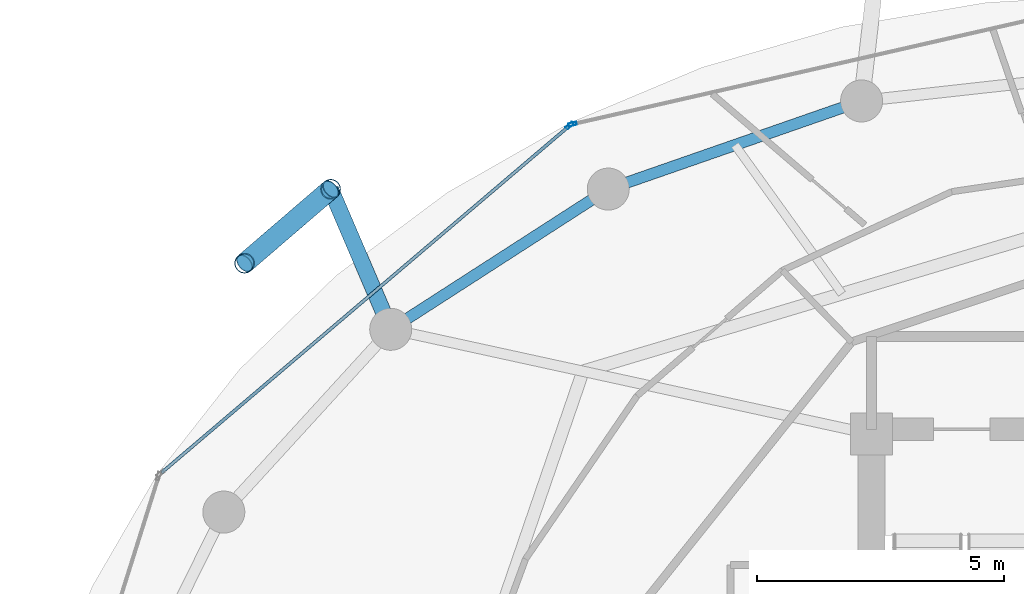
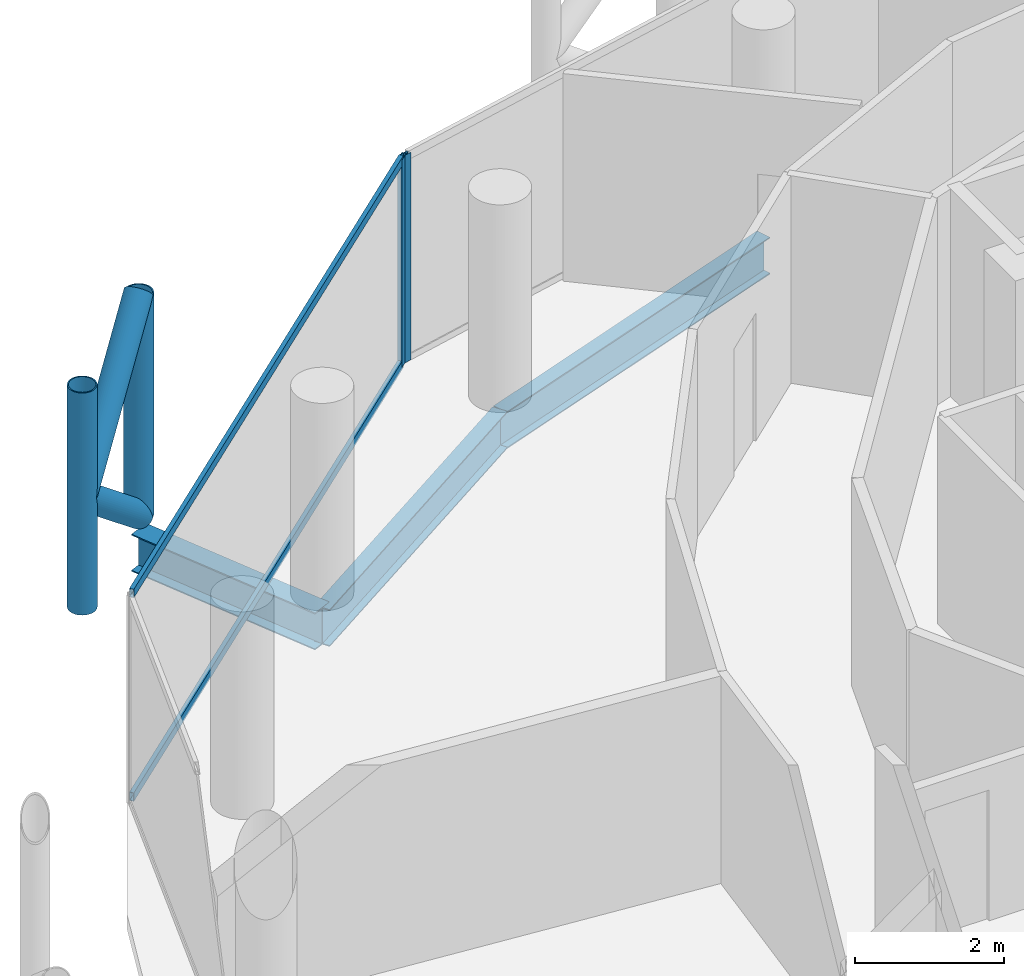
# One storey, part 18 of 27: 8 members, 3 beams, 2 elements without a shape of their own.
"""IFC4 building model written with IfcOpenShell, lengths in metres."""

from ifc_helpers import new_model, si_unit, direction, frame, origin, origin_2d, place, context, subcontext, project, spatial, hollow_rectangle, hollow_circle, i_section, extrude, material, layer, layer_set, material_profile, profile_set, type_object, element, aggregate, save


model = new_model("IFC4")

# Units and contexts
model_context = context("Model", 3, precision=1e-05, world=origin(), true_north=direction((0.0, 1.0)))
body_context = subcontext(model_context, "Body", "Model", "MODEL_VIEW")
ifc_project = project(units=[si_unit("LENGTHUNIT", "METRE"), si_unit("AREAUNIT", "SQUARE_METRE"), si_unit("VOLUMEUNIT", "CUBIC_METRE"), si_unit("PLANEANGLEUNIT", "RADIAN"), si_unit("MASSUNIT", "GRAM", prefix="KILO")], contexts=[model_context])

# Site, building, storey
site_placement = place(None, origin())
site = spatial("IfcSite", under=ifc_project, at=site_placement, CompositionType="ELEMENT")
building_placement = place(site_placement, origin())
building = spatial("IfcBuilding", under=site, at=building_placement, Name="Nuhasar Tower", CompositionType="ELEMENT")
storey_placement = place(building_placement, frame((0.0, 0.0, 248.300048828125)))
storey = spatial("IfcBuildingStorey", under=building, at=storey_placement, Name="L61", CompositionType="ELEMENT", Elevation=248.300048828125)

# Beams
ifc_material_1 = material(Name="Steel S355", Category="steel")
ifc_material_profile_1 = material_profile(ifc_material_1, i_section(OverallWidth=0.22802734375, OverallDepth=0.60791015625, WebThickness=0.01123046875, FlangeThickness=0.017333984375, at=origin_2d()), Name="W24X76")
ifc_profile_set_1 = profile_set([ifc_material_profile_1], Name="Steel S355")
beam_type_1 = type_object("IfcBeamType", Name="BM-RING-W24X76", PredefinedType="SPANDREL", material=ifc_profile_set_1)
beam_1_placement = place(storey_placement, frame((33.5, 44.0419921875, -0.5439453125), z_axis=(-0.944476764686, -0.328578211342, 0.0), x_axis=(0.328578211342, -0.944476764686, 0.0)))
element("IfcBeam", 1, at=beam_1_placement, inside=storey, type_object=beam_type_1, Name="L61 Perimeter Ring Spandrel 08", PredefinedType="SPANDREL", context=body_context, shape_type="SweptSolid", body=[
    extrude(i_section(OverallWidth=0.22802734375, OverallDepth=0.60791015625, WebThickness=0.01123046875, FlangeThickness=0.017333984375, at=origin_2d()), origin(), (0.0, 0.0, 1.0), 5.42626953125),
])
beam_2_placement = place(storey_placement, frame((28.375, 42.259033203125, -0.5439453125), z_axis=(-0.840502144969, -0.541808217272, 0.0), x_axis=(0.541808217272, -0.840502144969, 0.0)))
element("IfcBeam", 2, at=beam_2_placement, inside=storey, type_object=beam_type_1, Name="L61 Perimeter Ring Spandrel 09", PredefinedType="SPANDREL", context=body_context, shape_type="SweptSolid", body=[
    extrude(i_section(OverallWidth=0.22802734375, OverallDepth=0.60791015625, WebThickness=0.01123046875, FlangeThickness=0.017333984375, at=origin_2d()), origin(), (0.0, 0.0, 1.0), 5.236083984375),
])
ifc_material_profile_2 = material_profile(ifc_material_1, i_section(OverallWidth=0.323974609375, OverallDepth=0.611083984375, WebThickness=0.0126953125, FlangeThickness=0.01904296875, at=origin_2d()), Name="W24X104")
ifc_profile_set_2 = profile_set([ifc_material_profile_2], Name="Steel S355")
beam_type_2 = type_object("IfcBeamType", Name="BM-TIE-W24X104", PredefinedType="BEAM", material=ifc_profile_set_2)
beam_3_placement = place(storey_placement, frame((23.97412109375, 39.422119140625, -0.545166015625), z_axis=(-0.393680429682, 0.919247365667, 0.0), x_axis=(-0.919247365667, -0.393680429682, 0.0)))
element("IfcBeam", 3, at=beam_3_placement, inside=storey, type_object=beam_type_2, Name="L61 Exoskeleton Node Tie Beam 05", PredefinedType="BEAM", context=body_context, shape_type="SweptSolid", body=[
    extrude(i_section(OverallWidth=0.323974609375, OverallDepth=0.611083984375, WebThickness=0.0126953125, FlangeThickness=0.01904296875, at=origin_2d()), origin(), (0.0, 0.0, 1.0), 3.083984375),
])

# Curtain wall, member
ifc_material_2 = material(Name="Aluminium 6063-T6", Category="aluminium")
ifc_layer = layer(ifc_material_2, 0.18994140625)
ifc_layer_set = layer_set([ifc_layer], Name="Aluminium 6063-T6")
curtain_wall_type = type_object("IfcCurtainWallType", Name="CW-Z3-RES", PredefinedType="NOTDEFINED", material=ifc_layer_set)
curtain_wall_1_placement = place(storey_placement, origin())
curtain_wall_1 = element("IfcCurtainWall", 4, at=curtain_wall_1_placement, inside=storey, type_object=curtain_wall_type, Name="L61 Unitised Curtain Wall 04", PredefinedType="NOTDEFINED")
ifc_material_profile_3 = material_profile(ifc_material_2, hollow_rectangle(XDim=0.06494140625, YDim=0.169921875, WallThickness=0.0048828125, at=origin_2d()), Name="CWM-4")
ifc_profile_set_3 = profile_set([ifc_material_profile_3], Name="Aluminium 6063-T6")
member_type_1 = type_object("IfcMemberType", Name="CW-MUL-S4", PredefinedType="MULLION", material=ifc_profile_set_3)
member_1_placement = place(storey_placement, frame((27.651611328125, 43.5732421875, 0.0), z_axis=(0.0, 0.0, 1.0), x_axis=(0.222243176313, -0.974991266926, 0.0)))
member_1 = element("IfcMember", 5, at=member_1_placement, type_object=member_type_1, Name="CW-Z3 mullion 2", PredefinedType="MULLION", context=body_context, shape_type="SweptSolid", body=[
    extrude(hollow_rectangle(XDim=0.06494140625, YDim=0.169921875, WallThickness=0.0048828125, at=origin_2d()), origin(), (0.0, 0.0, 1.0), 3.409912109375),
])
aggregate(curtain_wall_1, [member_1])

# Curtain wall, members
curtain_wall_2_placement = place(storey_placement, origin())
curtain_wall_2 = element("IfcCurtainWall", 6, at=curtain_wall_2_placement, inside=storey, type_object=curtain_wall_type, Name="L61 Unitised Curtain Wall 05", PredefinedType="NOTDEFINED")
member_2_placement = place(storey_placement, frame((27.59521484375, 43.544921875, 0.0), z_axis=(0.0, 0.0, 1.0), x_axis=(0.64789521578, -0.761729472562, 0.0)))
member_2 = element("IfcMember", 7, at=member_2_placement, type_object=member_type_1, Name="CW-Z3 mullion 1", PredefinedType="MULLION", context=body_context, shape_type="SweptSolid", body=[
    extrude(hollow_rectangle(XDim=0.06494140625, YDim=0.169921875, WallThickness=0.0048828125, at=origin_2d()), origin(), (0.0, 0.0, 1.0), 3.409912109375),
])
ifc_material_profile_4 = material_profile(ifc_material_2, hollow_rectangle(XDim=0.06494140625, YDim=0.139892578125, WallThickness=0.00439453125, at=origin_2d()), Name="CWT-4")
ifc_profile_set_4 = profile_set([ifc_material_profile_4], Name="Aluminium 6063-T6")
member_type_2 = type_object("IfcMemberType", Name="CW-TRN-S4", PredefinedType="USERDEFINED", material=ifc_profile_set_4)
member_3_placement = place(storey_placement, frame((27.570556640625, 43.52392578125, 0.032470703125), z_axis=(-0.761730809511, -0.647893643928, 0.0), x_axis=(0.647893643928, -0.761730809511, 0.0)))
member_3 = element("IfcMember", 8, at=member_3_placement, type_object=member_type_2, Name="CW-Z3 transom 1.1", ObjectType="TRANSOM", PredefinedType="USERDEFINED", context=body_context, shape_type="SweptSolid", body=[
    extrude(hollow_rectangle(XDim=0.06494140625, YDim=0.139892578125, WallThickness=0.00439453125, at=origin_2d()), origin(), (0.0, 0.0, 1.0), 10.806884765625),
])
member_4_placement = place(storey_placement, frame((27.570556640625, 43.52392578125, 3.37744140625), z_axis=(-0.761730809511, -0.647893643928, 0.0), x_axis=(0.647893643928, -0.761730809511, 0.0)))
member_4 = element("IfcMember", 9, at=member_4_placement, type_object=member_type_2, Name="CW-Z3 transom 1.2", ObjectType="TRANSOM", PredefinedType="USERDEFINED", context=body_context, shape_type="SweptSolid", body=[
    extrude(hollow_rectangle(XDim=0.06494140625, YDim=0.139892578125, WallThickness=0.00439453125, at=origin_2d()), origin(), (0.0, 0.0, 1.0), 10.806884765625),
])
aggregate(curtain_wall_2, [member_2, member_3, member_4])

# Members
ifc_material_3 = material(Name="Steel S460", Category="steel")
ifc_material_profile_5 = material_profile(ifc_material_3, hollow_circle(Radius=0.203125, WallThickness=0.01904296875, at=origin_2d()), Name="HSS406.4X19.1")
ifc_profile_set_5 = profile_set([ifc_material_profile_5], Name="Steel S460")
member_type_3 = type_object("IfcMemberType", Name="EXO-BRONZE-406", PredefinedType="BRACE", material=ifc_profile_set_5)
for number, where, z_axis, x_axis, name in (
    (10, (22.760009765625, 42.257080078125, 0.0), (0.0, 0.0, 1.0), (1.0, 0.0, 0.0), "L61 Exoskeleton Chord Column EC-05A"),
    (11, (21.01611328125, 40.758056640625, 0.0), (0.0, 0.0, 1.0), (1.0, 0.0, 0.0), "L61 Exoskeleton Chord Column EC-05B"),
):
    element("IfcMember", number, at=place(storey_placement, frame(where, z_axis=z_axis, x_axis=x_axis)), inside=storey, type_object=member_type_3, Name=name, PredefinedType="BRACE", context=body_context, shape_type="SweptSolid", body=[
        extrude(hollow_circle(Radius=0.203125, WallThickness=0.01904296875, at=origin_2d()), origin(), (0.0, 0.0, 1.0), 3.64990234375),
    ])
for number, where, z_axis, x_axis, name in (
    (12, (22.760009765625, 42.257080078125, 0.0), (-0.594018535389, -0.510608120858, 0.621627964725), (0.65185738425, -0.758341579104, 0.0), "L61 Bronze Diagrid Brace W1-05"),
    (13, (21.01611328125, 40.758056640625, 1.824951171875), (0.594018535389, 0.510608120858, 0.621627964725), (-0.65185738425, 0.758341579104, 0.0), "L61 Bronze Diagrid Brace W2-05"),
):
    element("IfcMember", number, at=place(storey_placement, frame(where, z_axis=z_axis, x_axis=x_axis)), inside=storey, type_object=member_type_3, Name=name, PredefinedType="BRACE", context=body_context, shape_type="SweptSolid", body=[
        extrude(hollow_circle(Radius=0.203125, WallThickness=0.01904296875, at=origin_2d()), origin(), (0.0, 0.0, 1.0), 2.935791015625),
    ])

save(model, "model.ifc")
